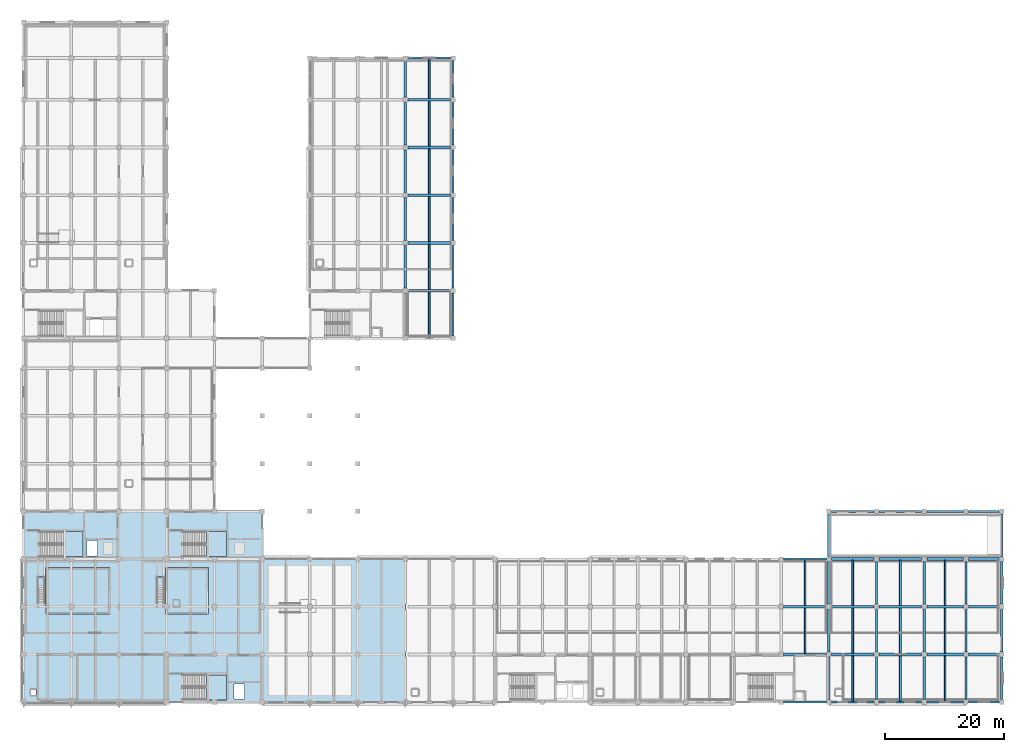
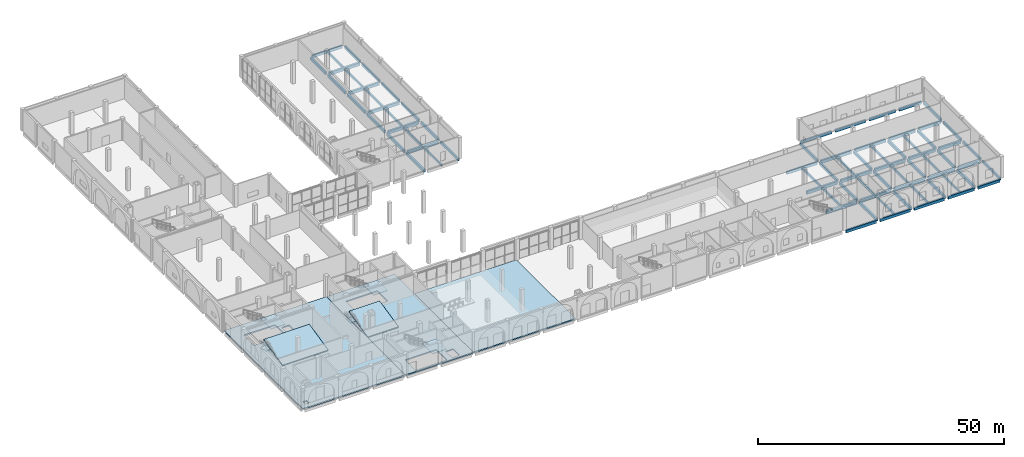
# One storey, part 12 of 40: 76 beams, 10 slabs, 5 elements without a shape of their own.
"""IFC4 building model written with IfcOpenShell, lengths in metres."""

from ifc_helpers import new_model, si_unit, direction, frame, origin, origin_2d, place, context, subcontext, project, spatial, polyline, rectangle, outline, extrude, material, layer, layer_set, material_profile, profile_set, type_object, element, aggregate, save


model = new_model("IFC4")

# Units and contexts
model_context = context("Model", 3, precision=1e-05, world=origin(), true_north=direction((0.0, 1.0)))
body_context = subcontext(model_context, "Body", "Model", "MODEL_VIEW")
ifc_project = project(units=[si_unit("LENGTHUNIT", "METRE"), si_unit("AREAUNIT", "SQUARE_METRE"), si_unit("VOLUMEUNIT", "CUBIC_METRE"), si_unit("PLANEANGLEUNIT", "RADIAN"), si_unit("MASSUNIT", "GRAM", prefix="KILO")], contexts=[model_context])

# Site, building, storey
site_placement = place(None, origin())
site = spatial("IfcSite", under=ifc_project, at=site_placement, CompositionType="ELEMENT")
building_placement = place(site_placement, origin())
building = spatial("IfcBuilding", under=site, at=building_placement, Name="Qorikala Patio Media Centre", CompositionType="ELEMENT")
storey_placement = place(building_placement, origin())
storey = spatial("IfcBuildingStorey", under=building, at=storey_placement, Name="L00", CompositionType="ELEMENT", Elevation=0.0)

# Beams
ifc_material_1 = material(Name="Concrete C35/45", Category="concrete")
ifc_material_profile_1 = material_profile(ifc_material_1, rectangle(XDim=0.39990234375, YDim=0.699951171875, at=origin_2d()), Name="RC 400x700")
ifc_profile_set_1 = profile_set([ifc_material_profile_1], Name="Concrete C35/45")
beam_type_1 = type_object("IfcBeamType", Name="BM-G400X700", PredefinedType="BEAM", material=ifc_profile_set_1)
for number, where, z_axis, x_axis, name in (
    (1, (67.0, 64.425048828125, -0.64990234375), (0.0, 1.0, 0.0), (-1.0, 0.0, 0.0), "L00 Grid X=67 Beam 0248"),
    (2, (67.0, 72.425048828125, -0.64990234375), (0.0, 1.0, 0.0), (-1.0, 0.0, 0.0), "L00 Grid X=67 Beam 0249"),
    (3, (67.0, 80.425048828125, -0.64990234375), (0.0, 1.0, 0.0), (-1.0, 0.0, 0.0), "L00 Grid X=67 Beam 0250"),
    (4, (67.0, 88.425048828125, -0.64990234375), (0.0, 1.0, 0.0), (-1.0, 0.0, 0.0), "L00 Grid X=67 Beam 0251"),
    (5, (67.0, 96.425048828125, -0.64990234375), (0.0, 1.0, 0.0), (-1.0, 0.0, 0.0), "L00 Grid X=67 Beam 0252"),
):
    element("IfcBeam", number, at=place(storey_placement, frame(where, z_axis=z_axis, x_axis=x_axis)), inside=storey, type_object=beam_type_1, Name=name, PredefinedType="BEAM", context=body_context, shape_type="SweptSolid", body=[
        extrude(rectangle(XDim=0.39990234375, YDim=0.699951171875, at=origin_2d()), origin(), (0.0, 0.0, 1.0), 7.14990234375),
    ])
beam_1_placement = place(storey_placement, frame((67.0, 104.425048828125, -0.64990234375), z_axis=(0.0, 1.0, 0.0), x_axis=(-1.0, 0.0, 0.0)))
element("IfcBeam", 6, at=beam_1_placement, inside=storey, type_object=beam_type_1, Name="L00 Grid X=67 Beam 0253", PredefinedType="BEAM", context=body_context, shape_type="SweptSolid", body=[
    extrude(rectangle(XDim=0.39990234375, YDim=0.699951171875, at=origin_2d()), origin(), (0.0, 0.0, 1.0), 6.14990234375),
])
for number, where, z_axis, x_axis, name in (
    (7, (138.0, 3.425048828125, -0.64990234375), (0.0, 1.0, 0.0), (-1.0, 0.0, 0.0), "L00 Grid X=138 Beam 0282"),
    (8, (138.0, 11.425048828125, -0.64990234375), (0.0, 1.0, 0.0), (-1.0, 0.0, 0.0), "L00 Grid X=138 Beam 0283"),
    (9, (138.0, 19.425048828125, -0.64990234375), (0.0, 1.0, 0.0), (-1.0, 0.0, 0.0), "L00 Grid X=138 Beam 0284"),
    (10, (146.0, 3.425048828125, -0.64990234375), (0.0, 1.0, 0.0), (-1.0, 0.0, 0.0), "L00 Grid X=146 Beam 0286"),
    (11, (146.0, 11.425048828125, -0.64990234375), (0.0, 1.0, 0.0), (-1.0, 0.0, 0.0), "L00 Grid X=146 Beam 0287"),
    (12, (146.0, 19.425048828125, -0.64990234375), (0.0, 1.0, 0.0), (-1.0, 0.0, 0.0), "L00 Grid X=146 Beam 0288"),
    (13, (154.0, 3.425048828125, -0.64990234375), (0.0, 1.0, 0.0), (-1.0, 0.0, 0.0), "L00 Grid X=154 Beam 0289"),
    (14, (154.0, 11.425048828125, -0.64990234375), (0.0, 1.0, 0.0), (-1.0, 0.0, 0.0), "L00 Grid X=154 Beam 0290"),
    (15, (154.0, 19.425048828125, -0.64990234375), (0.0, 1.0, 0.0), (-1.0, 0.0, 0.0), "L00 Grid X=154 Beam 0291"),
    (16, (161.0, 3.425048828125, -0.64990234375), (0.0, 1.0, 0.0), (-1.0, 0.0, 0.0), "L00 Grid X=161 Beam 0292"),
    (17, (161.0, 11.425048828125, -0.64990234375), (0.0, 1.0, 0.0), (-1.0, 0.0, 0.0), "L00 Grid X=161 Beam 0293"),
    (18, (161.0, 19.425048828125, -0.64990234375), (0.0, 1.0, 0.0), (-1.0, 0.0, 0.0), "L00 Grid X=161 Beam 0294"),
):
    element("IfcBeam", number, at=place(storey_placement, frame(where, z_axis=z_axis, x_axis=x_axis)), inside=storey, type_object=beam_type_1, Name=name, PredefinedType="BEAM", context=body_context, shape_type="SweptSolid", body=[
        extrude(rectangle(XDim=0.39990234375, YDim=0.699951171875, at=origin_2d()), origin(), (0.0, 0.0, 1.0), 7.14990234375),
    ])
ifc_material_profile_2 = material_profile(ifc_material_1, rectangle(XDim=0.449951171875, YDim=0.75, at=origin_2d()), Name="RC 450x750")
ifc_profile_set_2 = profile_set([ifc_material_profile_2], Name="Concrete C35/45")
beam_type_2 = type_object("IfcBeamType", Name="BM-G450X750", PredefinedType="BEAM", material=ifc_profile_set_2)
for number, where, z_axis, x_axis, name in (
    (19, (130.425048828125, 11.0, -0.675048828125), (1.0, 0.0, 0.0), (0.0, 1.0, 0.0), "L00 Grid 11 Beam 0038"),
    (20, (138.425048828125, 11.0, -0.675048828125), (1.0, 0.0, 0.0), (0.0, 1.0, 0.0), "L00 Grid 11 Beam 0039"),
    (21, (146.425048828125, 11.0, -0.675048828125), (1.0, 0.0, 0.0), (0.0, 1.0, 0.0), "L00 Grid 11 Beam 0040"),
):
    element("IfcBeam", number, at=place(storey_placement, frame(where, z_axis=z_axis, x_axis=x_axis)), inside=storey, type_object=beam_type_2, Name=name, PredefinedType="BEAM", context=body_context, shape_type="SweptSolid", body=[
        extrude(rectangle(XDim=0.449951171875, YDim=0.75, at=origin_2d()), origin(), (0.0, 0.0, 1.0), 7.14990234375),
    ])
beam_2_placement = place(storey_placement, frame((154.425048828125, 11.0, -0.675048828125), z_axis=(1.0, 0.0, 0.0), x_axis=(0.0, 1.0, 0.0)))
element("IfcBeam", 22, at=beam_2_placement, inside=storey, type_object=beam_type_2, Name="L00 Grid 11 Beam 0041", PredefinedType="BEAM", context=body_context, shape_type="SweptSolid", body=[
    extrude(rectangle(XDim=0.449951171875, YDim=0.75, at=origin_2d()), origin(), (0.0, 0.0, 1.0), 6.14990234375),
])
beam_3_placement = place(storey_placement, frame((161.425048828125, 11.0, -0.675048828125), z_axis=(1.0, 0.0, 0.0), x_axis=(0.0, 1.0, 0.0)))
element("IfcBeam", 23, at=beam_3_placement, inside=storey, type_object=beam_type_2, Name="L00 Grid 11 Beam 0042", PredefinedType="BEAM", context=body_context, shape_type="SweptSolid", body=[
    extrude(rectangle(XDim=0.449951171875, YDim=0.75, at=origin_2d()), origin(), (0.0, 0.0, 1.0), 5.14990234375),
])
for number, where, z_axis, x_axis, name in (
    (24, (130.425048828125, 19.0, -0.675048828125), (1.0, 0.0, 0.0), (0.0, 1.0, 0.0), "L00 Grid 19 Beam 0059"),
    (25, (138.425048828125, 19.0, -0.675048828125), (1.0, 0.0, 0.0), (0.0, 1.0, 0.0), "L00 Grid 19 Beam 0060"),
    (26, (146.425048828125, 19.0, -0.675048828125), (1.0, 0.0, 0.0), (0.0, 1.0, 0.0), "L00 Grid 19 Beam 0061"),
):
    element("IfcBeam", number, at=place(storey_placement, frame(where, z_axis=z_axis, x_axis=x_axis)), inside=storey, type_object=beam_type_2, Name=name, PredefinedType="BEAM", context=body_context, shape_type="SweptSolid", body=[
        extrude(rectangle(XDim=0.449951171875, YDim=0.75, at=origin_2d()), origin(), (0.0, 0.0, 1.0), 7.14990234375),
    ])
beam_4_placement = place(storey_placement, frame((154.425048828125, 19.0, -0.675048828125), z_axis=(1.0, 0.0, 0.0), x_axis=(0.0, 1.0, 0.0)))
element("IfcBeam", 27, at=beam_4_placement, inside=storey, type_object=beam_type_2, Name="L00 Grid 19 Beam 0062", PredefinedType="BEAM", context=body_context, shape_type="SweptSolid", body=[
    extrude(rectangle(XDim=0.449951171875, YDim=0.75, at=origin_2d()), origin(), (0.0, 0.0, 1.0), 6.14990234375),
])
beam_5_placement = place(storey_placement, frame((161.425048828125, 19.0, -0.675048828125), z_axis=(1.0, 0.0, 0.0), x_axis=(0.0, 1.0, 0.0)))
element("IfcBeam", 28, at=beam_5_placement, inside=storey, type_object=beam_type_2, Name="L00 Grid 19 Beam 0063", PredefinedType="BEAM", context=body_context, shape_type="SweptSolid", body=[
    extrude(rectangle(XDim=0.449951171875, YDim=0.75, at=origin_2d()), origin(), (0.0, 0.0, 1.0), 5.14990234375),
])
for number, where, z_axis, x_axis, name in (
    (29, (138.425048828125, 27.0, -0.675048828125), (1.0, 0.0, 0.0), (0.0, 1.0, 0.0), "L00 Grid 27 Beam 0081"),
    (30, (146.425048828125, 27.0, -0.675048828125), (1.0, 0.0, 0.0), (0.0, 1.0, 0.0), "L00 Grid 27 Beam 0082"),
):
    element("IfcBeam", number, at=place(storey_placement, frame(where, z_axis=z_axis, x_axis=x_axis)), inside=storey, type_object=beam_type_2, Name=name, PredefinedType="BEAM", context=body_context, shape_type="SweptSolid", body=[
        extrude(rectangle(XDim=0.449951171875, YDim=0.75, at=origin_2d()), origin(), (0.0, 0.0, 1.0), 7.14990234375),
    ])
beam_6_placement = place(storey_placement, frame((154.425048828125, 27.0, -0.675048828125), z_axis=(1.0, 0.0, 0.0), x_axis=(0.0, 1.0, 0.0)))
element("IfcBeam", 31, at=beam_6_placement, inside=storey, type_object=beam_type_2, Name="L00 Grid 27 Beam 0083", PredefinedType="BEAM", context=body_context, shape_type="SweptSolid", body=[
    extrude(rectangle(XDim=0.449951171875, YDim=0.75, at=origin_2d()), origin(), (0.0, 0.0, 1.0), 6.14990234375),
])
beam_7_placement = place(storey_placement, frame((161.425048828125, 27.0, -0.675048828125), z_axis=(1.0, 0.0, 0.0), x_axis=(0.0, 1.0, 0.0)))
element("IfcBeam", 32, at=beam_7_placement, inside=storey, type_object=beam_type_2, Name="L00 Grid 27 Beam 0084", PredefinedType="BEAM", context=body_context, shape_type="SweptSolid", body=[
    extrude(rectangle(XDim=0.449951171875, YDim=0.75, at=origin_2d()), origin(), (0.0, 0.0, 1.0), 5.14990234375),
])
for number, where, z_axis, x_axis, name in (
    (33, (67.425048828125, 72.0, -0.675048828125), (1.0, 0.0, 0.0), (0.0, 1.0, 0.0), "L00 Grid 72 Beam 0123"),
    (34, (67.425048828125, 80.0, -0.675048828125), (1.0, 0.0, 0.0), (0.0, 1.0, 0.0), "L00 Grid 80 Beam 0129"),
    (35, (67.425048828125, 88.0, -0.675048828125), (1.0, 0.0, 0.0), (0.0, 1.0, 0.0), "L00 Grid 88 Beam 0135"),
    (36, (67.425048828125, 96.0, -0.675048828125), (1.0, 0.0, 0.0), (0.0, 1.0, 0.0), "L00 Grid 96 Beam 0141"),
    (37, (67.425048828125, 104.0, -0.675048828125), (1.0, 0.0, 0.0), (0.0, 1.0, 0.0), "L00 Grid 104 Beam 0147"),
):
    element("IfcBeam", number, at=place(storey_placement, frame(where, z_axis=z_axis, x_axis=x_axis)), inside=storey, type_object=beam_type_2, Name=name, PredefinedType="BEAM", context=body_context, shape_type="SweptSolid", body=[
        extrude(rectangle(XDim=0.449951171875, YDim=0.75, at=origin_2d()), origin(), (0.0, 0.0, 1.0), 7.14990234375),
    ])
ifc_material_profile_3 = material_profile(ifc_material_1, rectangle(XDim=0.300048828125, YDim=0.550048828125, at=origin_2d()), Name="RC 300x550")
ifc_profile_set_3 = profile_set([ifc_material_profile_3], Name="Concrete C35/45")
beam_type_3 = type_object("IfcBeamType", Name="JS-300X550", PredefinedType="JOIST", material=ifc_profile_set_3)
beam_8_placement = place(storey_placement, frame((71.0, 64.175048828125, -0.574951171875), z_axis=(0.0, 1.0, 0.0), x_axis=(-1.0, 0.0, 0.0)))
element("IfcBeam", 38, at=beam_8_placement, inside=storey, type_object=beam_type_3, Name="L00 Secondary Joist 0364", PredefinedType="JOIST", context=body_context, shape_type="SweptSolid", body=[
    extrude(rectangle(XDim=0.300048828125, YDim=0.550048828125, at=origin_2d()), origin(), (0.0, 0.0, 1.0), 7.599853515625),
])
for number, where, z_axis, x_axis, name in (
    (39, (71.0, 72.22509765625, -0.574951171875), (0.0, 1.0, 0.0), (-1.0, 0.0, 0.0), "L00 Secondary Joist 0365"),
    (40, (71.0, 80.22509765625, -0.574951171875), (0.0, 1.0, 0.0), (-1.0, 0.0, 0.0), "L00 Secondary Joist 0366"),
    (41, (71.0, 88.22509765625, -0.574951171875), (0.0, 1.0, 0.0), (-1.0, 0.0, 0.0), "L00 Secondary Joist 0367"),
    (42, (71.0, 96.22509765625, -0.574951171875), (0.0, 1.0, 0.0), (-1.0, 0.0, 0.0), "L00 Secondary Joist 0368"),
):
    element("IfcBeam", number, at=place(storey_placement, frame(where, z_axis=z_axis, x_axis=x_axis)), inside=storey, type_object=beam_type_3, Name=name, PredefinedType="JOIST", context=body_context, shape_type="SweptSolid", body=[
        extrude(rectangle(XDim=0.300048828125, YDim=0.550048828125, at=origin_2d()), origin(), (0.0, 0.0, 1.0), 7.5498046875),
    ])
beam_9_placement = place(storey_placement, frame((71.0, 104.22509765625, -0.574951171875), z_axis=(0.0, 1.0, 0.0), x_axis=(-1.0, 0.0, 0.0)))
element("IfcBeam", 43, at=beam_9_placement, inside=storey, type_object=beam_type_3, Name="L00 Secondary Joist 0369", PredefinedType="JOIST", context=body_context, shape_type="SweptSolid", body=[
    extrude(rectangle(XDim=0.300048828125, YDim=0.550048828125, at=origin_2d()), origin(), (0.0, 0.0, 1.0), 6.599853515625),
])
beam_10_placement = place(storey_placement, frame((134.0, 11.22509765625, -0.574951171875), z_axis=(0.0, 1.0, 0.0), x_axis=(-1.0, 0.0, 0.0)))
element("IfcBeam", 44, at=beam_10_placement, inside=storey, type_object=beam_type_3, Name="L00 Secondary Joist 0388", PredefinedType="JOIST", context=body_context, shape_type="SweptSolid", body=[
    extrude(rectangle(XDim=0.300048828125, YDim=0.550048828125, at=origin_2d()), origin(), (0.0, 0.0, 1.0), 7.5498046875),
])
for number, where, z_axis, x_axis, name in (
    (45, (134.0, 19.22509765625, -0.574951171875), (0.0, 1.0, 0.0), (-1.0, 0.0, 0.0), "L00 Secondary Joist 0389"),
    (46, (142.0, 3.175048828125, -0.574951171875), (0.0, 1.0, 0.0), (-1.0, 0.0, 0.0), "L00 Secondary Joist 0390"),
):
    element("IfcBeam", number, at=place(storey_placement, frame(where, z_axis=z_axis, x_axis=x_axis)), inside=storey, type_object=beam_type_3, Name=name, PredefinedType="JOIST", context=body_context, shape_type="SweptSolid", body=[
        extrude(rectangle(XDim=0.300048828125, YDim=0.550048828125, at=origin_2d()), origin(), (0.0, 0.0, 1.0), 7.599853515625),
    ])
for number, where, z_axis, x_axis, name in (
    (47, (142.0, 11.22509765625, -0.574951171875), (0.0, 1.0, 0.0), (-1.0, 0.0, 0.0), "L00 Secondary Joist 0391"),
    (48, (142.0, 19.22509765625, -0.574951171875), (0.0, 1.0, 0.0), (-1.0, 0.0, 0.0), "L00 Secondary Joist 0392"),
):
    element("IfcBeam", number, at=place(storey_placement, frame(where, z_axis=z_axis, x_axis=x_axis)), inside=storey, type_object=beam_type_3, Name=name, PredefinedType="JOIST", context=body_context, shape_type="SweptSolid", body=[
        extrude(rectangle(XDim=0.300048828125, YDim=0.550048828125, at=origin_2d()), origin(), (0.0, 0.0, 1.0), 7.5498046875),
    ])
beam_11_placement = place(storey_placement, frame((150.0, 3.175048828125, -0.574951171875), z_axis=(0.0, 1.0, 0.0), x_axis=(-1.0, 0.0, 0.0)))
element("IfcBeam", 49, at=beam_11_placement, inside=storey, type_object=beam_type_3, Name="L00 Secondary Joist 0393", PredefinedType="JOIST", context=body_context, shape_type="SweptSolid", body=[
    extrude(rectangle(XDim=0.300048828125, YDim=0.550048828125, at=origin_2d()), origin(), (0.0, 0.0, 1.0), 7.599853515625),
])
for number, where, z_axis, x_axis, name in (
    (50, (150.0, 11.22509765625, -0.574951171875), (0.0, 1.0, 0.0), (-1.0, 0.0, 0.0), "L00 Secondary Joist 0394"),
    (51, (150.0, 19.22509765625, -0.574951171875), (0.0, 1.0, 0.0), (-1.0, 0.0, 0.0), "L00 Secondary Joist 0395"),
):
    element("IfcBeam", number, at=place(storey_placement, frame(where, z_axis=z_axis, x_axis=x_axis)), inside=storey, type_object=beam_type_3, Name=name, PredefinedType="JOIST", context=body_context, shape_type="SweptSolid", body=[
        extrude(rectangle(XDim=0.300048828125, YDim=0.550048828125, at=origin_2d()), origin(), (0.0, 0.0, 1.0), 7.5498046875),
    ])
beam_12_placement = place(storey_placement, frame((157.5, 3.175048828125, -0.574951171875), z_axis=(0.0, 1.0, 0.0), x_axis=(-1.0, 0.0, 0.0)))
element("IfcBeam", 52, at=beam_12_placement, inside=storey, type_object=beam_type_3, Name="L00 Secondary Joist 0396", PredefinedType="JOIST", context=body_context, shape_type="SweptSolid", body=[
    extrude(rectangle(XDim=0.300048828125, YDim=0.550048828125, at=origin_2d()), origin(), (0.0, 0.0, 1.0), 7.599853515625),
])
for number, where, z_axis, x_axis, name in (
    (53, (157.5, 11.22509765625, -0.574951171875), (0.0, 1.0, 0.0), (-1.0, 0.0, 0.0), "L00 Secondary Joist 0397"),
    (54, (157.5, 19.22509765625, -0.574951171875), (0.0, 1.0, 0.0), (-1.0, 0.0, 0.0), "L00 Secondary Joist 0398"),
):
    element("IfcBeam", number, at=place(storey_placement, frame(where, z_axis=z_axis, x_axis=x_axis)), inside=storey, type_object=beam_type_3, Name=name, PredefinedType="JOIST", context=body_context, shape_type="SweptSolid", body=[
        extrude(rectangle(XDim=0.300048828125, YDim=0.550048828125, at=origin_2d()), origin(), (0.0, 0.0, 1.0), 7.5498046875),
    ])
ifc_material_profile_4 = material_profile(ifc_material_1, rectangle(XDim=0.35009765625, YDim=0.679931640625, at=origin_2d()), Name="RC 350x680")
ifc_profile_set_4 = profile_set([ifc_material_profile_4], Name="Concrete C35/45")
beam_type_4 = type_object("IfcBeamType", Name="SP-350X680", PredefinedType="SPANDREL", material=ifc_profile_set_4)
for number, where, z_axis, x_axis, name in (
    (55, (130.425048828125, 3.0, -0.639892578125), (1.0, 0.0, 0.0), (0.0, 1.0, 0.0), "L00 Grid 3 Beam 0017"),
    (56, (138.425048828125, 3.0, -0.639892578125), (1.0, 0.0, 0.0), (0.0, 1.0, 0.0), "L00 Grid 3 Beam 0018"),
    (57, (146.425048828125, 3.0, -0.639892578125), (1.0, 0.0, 0.0), (0.0, 1.0, 0.0), "L00 Grid 3 Beam 0019"),
):
    element("IfcBeam", number, at=place(storey_placement, frame(where, z_axis=z_axis, x_axis=x_axis)), inside=storey, type_object=beam_type_4, Name=name, PredefinedType="SPANDREL", context=body_context, shape_type="SweptSolid", body=[
        extrude(rectangle(XDim=0.35009765625, YDim=0.679931640625, at=origin_2d()), origin(), (0.0, 0.0, 1.0), 7.14990234375),
    ])
beam_13_placement = place(storey_placement, frame((154.425048828125, 3.0, -0.639892578125), z_axis=(1.0, 0.0, 0.0), x_axis=(0.0, 1.0, 0.0)))
element("IfcBeam", 58, at=beam_13_placement, inside=storey, type_object=beam_type_4, Name="L00 Grid 3 Beam 0020", PredefinedType="SPANDREL", context=body_context, shape_type="SweptSolid", body=[
    extrude(rectangle(XDim=0.35009765625, YDim=0.679931640625, at=origin_2d()), origin(), (0.0, 0.0, 1.0), 6.14990234375),
])
beam_14_placement = place(storey_placement, frame((161.425048828125, 3.0, -0.639892578125), z_axis=(1.0, 0.0, 0.0), x_axis=(0.0, 1.0, 0.0)))
element("IfcBeam", 59, at=beam_14_placement, inside=storey, type_object=beam_type_4, Name="L00 Grid 3 Beam 0021", PredefinedType="SPANDREL", context=body_context, shape_type="SweptSolid", body=[
    extrude(rectangle(XDim=0.35009765625, YDim=0.679931640625, at=origin_2d()), origin(), (0.0, 0.0, 1.0), 5.14990234375),
])
for number, where, z_axis, x_axis, name in (
    (60, (130.425048828125, 27.0, -0.639892578125), (1.0, 0.0, 0.0), (0.0, 1.0, 0.0), "L00 Grid 27 Beam 0080"),
    (61, (138.425048828125, 35.0, -0.639892578125), (1.0, 0.0, 0.0), (0.0, 1.0, 0.0), "L00 Grid 35 Beam 0090"),
    (62, (146.425048828125, 35.0, -0.639892578125), (1.0, 0.0, 0.0), (0.0, 1.0, 0.0), "L00 Grid 35 Beam 0091"),
):
    element("IfcBeam", number, at=place(storey_placement, frame(where, z_axis=z_axis, x_axis=x_axis)), inside=storey, type_object=beam_type_4, Name=name, PredefinedType="SPANDREL", context=body_context, shape_type="SweptSolid", body=[
        extrude(rectangle(XDim=0.35009765625, YDim=0.679931640625, at=origin_2d()), origin(), (0.0, 0.0, 1.0), 7.14990234375),
    ])
beam_15_placement = place(storey_placement, frame((154.425048828125, 35.0, -0.639892578125), z_axis=(1.0, 0.0, 0.0), x_axis=(0.0, 1.0, 0.0)))
element("IfcBeam", 63, at=beam_15_placement, inside=storey, type_object=beam_type_4, Name="L00 Grid 35 Beam 0092", PredefinedType="SPANDREL", context=body_context, shape_type="SweptSolid", body=[
    extrude(rectangle(XDim=0.35009765625, YDim=0.679931640625, at=origin_2d()), origin(), (0.0, 0.0, 1.0), 6.14990234375),
])
beam_16_placement = place(storey_placement, frame((161.425048828125, 35.0, -0.639892578125), z_axis=(1.0, 0.0, 0.0), x_axis=(0.0, 1.0, 0.0)))
element("IfcBeam", 64, at=beam_16_placement, inside=storey, type_object=beam_type_4, Name="L00 Grid 35 Beam 0093", PredefinedType="SPANDREL", context=body_context, shape_type="SweptSolid", body=[
    extrude(rectangle(XDim=0.35009765625, YDim=0.679931640625, at=origin_2d()), origin(), (0.0, 0.0, 1.0), 5.14990234375),
])
for number, where, z_axis, x_axis, name in (
    (65, (67.425048828125, 111.0, -0.639892578125), (1.0, 0.0, 0.0), (0.0, 1.0, 0.0), "L00 Grid 111 Beam 0153"),
    (66, (75.0, 64.425048828125, -0.639892578125), (0.0, 1.0, 0.0), (-1.0, 0.0, 0.0), "L00 Grid X=75 Beam 0257"),
    (67, (75.0, 72.425048828125, -0.639892578125), (0.0, 1.0, 0.0), (-1.0, 0.0, 0.0), "L00 Grid X=75 Beam 0258"),
    (68, (75.0, 80.425048828125, -0.639892578125), (0.0, 1.0, 0.0), (-1.0, 0.0, 0.0), "L00 Grid X=75 Beam 0259"),
    (69, (75.0, 88.425048828125, -0.639892578125), (0.0, 1.0, 0.0), (-1.0, 0.0, 0.0), "L00 Grid X=75 Beam 0260"),
    (70, (75.0, 96.425048828125, -0.639892578125), (0.0, 1.0, 0.0), (-1.0, 0.0, 0.0), "L00 Grid X=75 Beam 0261"),
):
    element("IfcBeam", number, at=place(storey_placement, frame(where, z_axis=z_axis, x_axis=x_axis)), inside=storey, type_object=beam_type_4, Name=name, PredefinedType="SPANDREL", context=body_context, shape_type="SweptSolid", body=[
        extrude(rectangle(XDim=0.35009765625, YDim=0.679931640625, at=origin_2d()), origin(), (0.0, 0.0, 1.0), 7.14990234375),
    ])
beam_17_placement = place(storey_placement, frame((75.0, 104.425048828125, -0.639892578125), z_axis=(0.0, 1.0, 0.0), x_axis=(-1.0, 0.0, 0.0)))
element("IfcBeam", 71, at=beam_17_placement, inside=storey, type_object=beam_type_4, Name="L00 Grid X=75 Beam 0262", PredefinedType="SPANDREL", context=body_context, shape_type="SweptSolid", body=[
    extrude(rectangle(XDim=0.35009765625, YDim=0.679931640625, at=origin_2d()), origin(), (0.0, 0.0, 1.0), 6.14990234375),
])
for number, where, z_axis, x_axis, name in (
    (72, (138.0, 27.425048828125, -0.639892578125), (0.0, 1.0, 0.0), (-1.0, 0.0, 0.0), "L00 Grid X=138 Beam 0285"),
    (73, (167.0, 3.425048828125, -0.639892578125), (0.0, 1.0, 0.0), (-1.0, 0.0, 0.0), "L00 Grid X=167 Beam 0295"),
    (74, (167.0, 11.425048828125, -0.639892578125), (0.0, 1.0, 0.0), (-1.0, 0.0, 0.0), "L00 Grid X=167 Beam 0296"),
    (75, (167.0, 19.425048828125, -0.639892578125), (0.0, 1.0, 0.0), (-1.0, 0.0, 0.0), "L00 Grid X=167 Beam 0297"),
    (76, (167.0, 27.425048828125, -0.639892578125), (0.0, 1.0, 0.0), (-1.0, 0.0, 0.0), "L00 Grid X=167 Beam 0298"),
):
    element("IfcBeam", number, at=place(storey_placement, frame(where, z_axis=z_axis, x_axis=x_axis)), inside=storey, type_object=beam_type_4, Name=name, PredefinedType="SPANDREL", context=body_context, shape_type="SweptSolid", body=[
        extrude(rectangle(XDim=0.35009765625, YDim=0.679931640625, at=origin_2d()), origin(), (0.0, 0.0, 1.0), 7.14990234375),
    ])

# Slabs
ifc_layer_1 = layer(ifc_material_1, 0.300048828125)
ifc_layer_set_1 = layer_set([ifc_layer_1], Name="Concrete C35/45")
slab_type_1 = type_object("IfcSlabType", Name="SL-FLOOR-300", PredefinedType="FLOOR", material=ifc_layer_set_1)
slab_1_placement = place(storey_placement, frame((0.0, 0.0, -0.300048828125)))
element("IfcSlab", 77, at=slab_1_placement, inside=storey, type_object=slab_type_1, Name="L00 V1A Slab 1.1", PredefinedType="FLOOR", context=body_context, shape_type="SweptSolid", body=[
    extrude(outline(polyline([(3.0, 35.0), (27.0, 35.0), (27.0, 3.0), (3.0, 3.0), (3.0, 35.0)]), holes=[polyline([(5.10009765625, 4.199951171875), (5.10009765625, 5.10009765625), (4.199951171875, 5.10009765625), (4.199951171875, 4.199951171875), (5.10009765625, 4.199951171875)]), polyline([(13.6201171875, 27.52001953125), (15.3798828125, 27.52001953125), (15.3798828125, 30.080078125), (13.6201171875, 30.080078125), (13.6201171875, 27.52001953125)]), polyline([(5.60009765625, 27.39990234375), (13.0, 27.39990234375), (13.0, 31.60009765625), (5.60009765625, 31.60009765625), (5.60009765625, 27.39990234375)])]), origin(), (0.0, 0.0, 1.0), 0.300048828125),
])
slab_2_placement = place(storey_placement, frame((0.0, 0.0, -0.300048828125)))
element("IfcSlab", 78, at=slab_2_placement, inside=storey, type_object=slab_type_1, Name="L00 V1B Slab 2.1", PredefinedType="FLOOR", context=body_context, shape_type="SweptSolid", body=[
    extrude(outline(polyline([(43.0, 3.0), (27.0, 3.0), (27.0, 35.0), (43.0, 35.0), (43.0, 3.0)]), holes=[polyline([(38.320068359375, 3.52001953125), (40.080078125, 3.52001953125), (40.080078125, 6.080078125), (38.320068359375, 6.080078125), (38.320068359375, 3.52001953125)]), polyline([(29.60009765625, 3.39990234375), (37.0, 3.39990234375), (37.0, 7.60009765625), (29.60009765625, 7.60009765625), (29.60009765625, 3.39990234375)]), polyline([(29.10009765625, 19.199951171875), (29.10009765625, 20.10009765625), (28.199951171875, 20.10009765625), (28.199951171875, 19.199951171875), (29.10009765625, 19.199951171875)]), polyline([(37.0, 27.39990234375), (37.0, 31.60009765625), (29.60009765625, 31.60009765625), (29.60009765625, 27.39990234375), (37.0, 27.39990234375)])]), origin(), (0.0, 0.0, 1.0), 0.300048828125),
])
slab_3_placement = place(storey_placement, frame((0.0, 0.0, -0.300048828125)))
element("IfcSlab", 79, at=slab_3_placement, inside=storey, type_object=slab_type_1, Name="L00 V2A Slab 3.1", PredefinedType="FLOOR", context=body_context, shape_type="SweptSolid", body=[
    extrude(outline(polyline([(67.0, 3.0), (43.0, 3.0), (43.0, 27.0), (67.0, 27.0), (67.0, 3.0)])), origin(), (0.0, 0.0, 1.0), 0.300048828125),
])

# Stair, slab
ifc_material_2 = material(Name="Precast concrete C40/50", Category="concrete")
stair_type_1 = type_object("IfcStairType", Name="ST-DL-30R180W200", PredefinedType="HALF_TURN_STAIR", material=ifc_material_2)
stair_1_placement = place(storey_placement, origin())
stair_1 = element("IfcStair", 80, at=stair_1_placement, inside=storey, type_object=stair_type_1, Name="L00 Core C1 Exit Stair ST-1", PredefinedType="HALF_TURN_STAIR")
ifc_layer_2 = layer(ifc_material_2, 0.199951171875)
ifc_layer_set_2 = layer_set([ifc_layer_2], Name="Precast concrete C40/50")
slab_type_2 = type_object("IfcSlabType", Name="SL-LAND-200", PredefinedType="LANDING", material=ifc_layer_set_2)
slab_4_placement = place(storey_placement, frame((0.0, 0.0, 2.5)))
slab_4 = element("IfcSlab", 81, at=slab_4_placement, type_object=slab_type_2, Name="ST-1 landing 1", PredefinedType="LANDING", context=body_context, shape_type="SweptSolid", body=[
    extrude(outline(polyline([(33.659912109375, 3.39990234375), (37.0, 3.39990234375), (37.0, 7.60009765625), (33.659912109375, 7.60009765625), (33.659912109375, 3.39990234375)])), origin(), (0.0, 0.0, 1.0), 0.199951171875),
])
aggregate(stair_1, [slab_4])

stair_2_placement = place(storey_placement, origin())
stair_2 = element("IfcStair", 82, at=stair_2_placement, inside=storey, type_object=stair_type_1, Name="L00 Core C2 Exit Stair ST-2", PredefinedType="HALF_TURN_STAIR")
slab_5_placement = place(storey_placement, frame((0.0, 0.0, 2.5)))
slab_5 = element("IfcSlab", 83, at=slab_5_placement, type_object=slab_type_2, Name="ST-2 landing 1", PredefinedType="LANDING", context=body_context, shape_type="SweptSolid", body=[
    extrude(outline(polyline([(9.659912109375, 27.39990234375), (13.0, 27.39990234375), (13.0, 31.60009765625), (9.659912109375, 31.60009765625), (9.659912109375, 27.39990234375)])), origin(), (0.0, 0.0, 1.0), 0.199951171875),
])
aggregate(stair_2, [slab_5])

stair_3_placement = place(storey_placement, origin())
stair_3 = element("IfcStair", 84, at=stair_3_placement, inside=storey, type_object=stair_type_1, Name="L00 Core C5 Exit Stair ST-5", PredefinedType="HALF_TURN_STAIR")
slab_6_placement = place(storey_placement, frame((0.0, 0.0, 2.5)))
slab_6 = element("IfcSlab", 85, at=slab_6_placement, type_object=slab_type_2, Name="ST-5 landing 1", PredefinedType="LANDING", context=body_context, shape_type="SweptSolid", body=[
    extrude(outline(polyline([(33.659912109375, 27.39990234375), (37.0, 27.39990234375), (37.0, 31.60009765625), (33.659912109375, 31.60009765625), (33.659912109375, 27.39990234375)])), origin(), (0.0, 0.0, 1.0), 0.199951171875),
])
aggregate(stair_3, [slab_6])

stair_type_2 = type_object("IfcStairType", Name="ST-VOM-STR", PredefinedType="STRAIGHT_RUN_STAIR", material=ifc_material_1)
stair_4_placement = place(storey_placement, origin())
stair_4 = element("IfcStair", 86, at=stair_4_placement, inside=storey, type_object=stair_type_2, Name="Vomitory Stair VS-01", PredefinedType="STRAIGHT_RUN_STAIR")
slab_7_placement = place(storey_placement, frame((0.0, 0.0, 1.60009765625)))
slab_7 = element("IfcSlab", 87, at=slab_7_placement, type_object=slab_type_2, Name="VS-01 landing 1", PredefinedType="LANDING", context=body_context, shape_type="SweptSolid", body=[
    extrude(outline(polyline([(5.324951171875, 22.25), (6.574951171875, 22.25), (6.574951171875, 24.050048828125), (5.324951171875, 24.050048828125), (5.324951171875, 22.25)])), origin(), (0.0, 0.0, 1.0), 0.199951171875),
])
aggregate(stair_4, [slab_7])

stair_5_placement = place(storey_placement, origin())
stair_5 = element("IfcStair", 88, at=stair_5_placement, inside=storey, type_object=stair_type_2, Name="Vomitory Stair VS-02", PredefinedType="STRAIGHT_RUN_STAIR")
slab_8_placement = place(storey_placement, frame((0.0, 0.0, 1.60009765625)))
slab_8 = element("IfcSlab", 89, at=slab_8_placement, type_object=slab_type_2, Name="VS-02 landing 1", PredefinedType="LANDING", context=body_context, shape_type="SweptSolid", body=[
    extrude(outline(polyline([(25.324951171875, 22.25), (26.574951171875, 22.25), (26.574951171875, 24.050048828125), (25.324951171875, 24.050048828125), (25.324951171875, 22.25)])), origin(), (0.0, 0.0, 1.0), 0.199951171875),
])
aggregate(stair_5, [slab_8])

# Slabs
ifc_layer_3 = layer(ifc_material_1, 0.239990234375)
ifc_layer_set_3 = layer_set([ifc_layer_3], Name="Concrete C35/45")
slab_type_3 = type_object("IfcSlabType", Name="SL-TIER-240", PredefinedType="USERDEFINED", material=ifc_layer_set_3)
slab_9_placement = place(storey_placement, frame((6.800048828125, 17.800048828125, 0.5), z_axis=(0.0, -0.22162243994, 0.975132552074), x_axis=(1.0, 0.0, 0.0)))
element("IfcSlab", 90, at=slab_9_placement, inside=storey, type_object=slab_type_3, Name="Cinema Screen 1 Raked Seating Tier", ObjectType="SEATING TIER", PredefinedType="USERDEFINED", context=body_context, shape_type="SweptSolid", body=[
    extrude(outline(polyline([(0.0, 0.0), (10.699951171875, 0.0), (10.699951171875, 7.896312306973375), (0.0, 7.896312306973375), (0.0, 0.0)])), origin(), (0.0, 0.0, -1.0), 0.239990234375),
])
slab_10_placement = place(storey_placement, frame((26.800048828125, 17.800048828125, 0.5), z_axis=(0.0, -0.22162243994, 0.975132552074), x_axis=(1.0, 0.0, 0.0)))
element("IfcSlab", 91, at=slab_10_placement, inside=storey, type_object=slab_type_3, Name="Cinema Screen 2 Raked Seating Tier", ObjectType="SEATING TIER", PredefinedType="USERDEFINED", context=body_context, shape_type="SweptSolid", body=[
    extrude(outline(polyline([(0.0, 0.0), (7.199951171875, 0.0), (7.199951171875, 7.896312306973375), (0.0, 7.896312306973375), (0.0, 0.0)])), origin(), (0.0, 0.0, -1.0), 0.239990234375),
])

save(model, "model.ifc")
